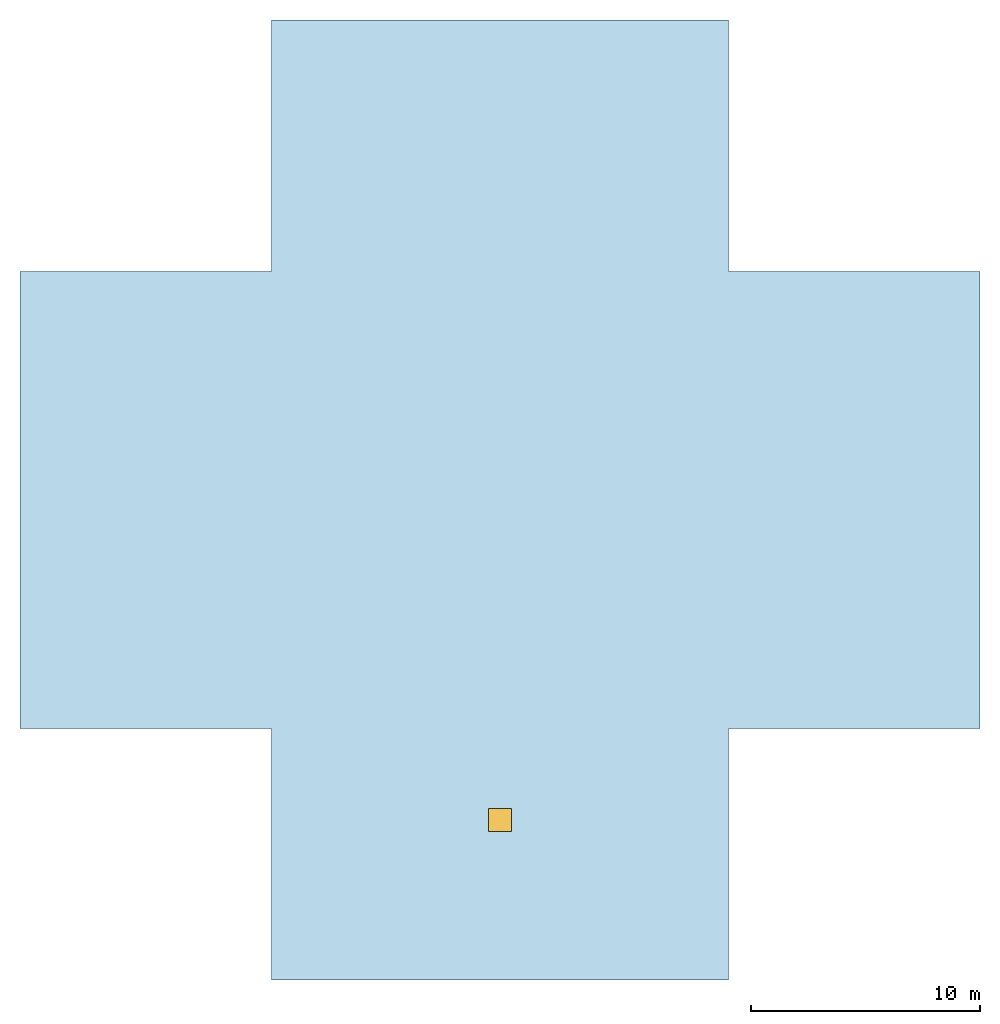
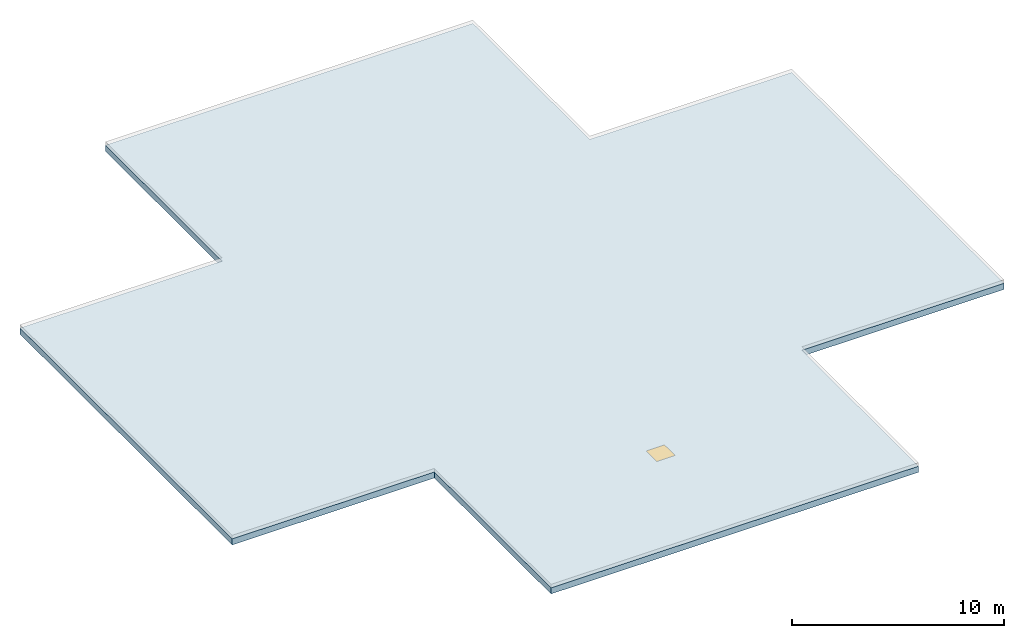
# One storey, part 1 of 2: 1 slab, 1 window, 1 opening.
"""IFC4 building model written with IfcOpenShell, lengths in metres."""

from ifc_helpers import new_model, si_unit, direction, frame, origin, origin_2d, place, context, subcontext, project, spatial, polyline, rectangle, outline, extrude, material, layer, layer_set, type_object, element, fill, save


model = new_model("IFC4")

# Units and contexts
model_context = context("Model", 3, precision=1e-05, world=origin(), true_north=direction((0.0, 1.0)))
body_context = subcontext(model_context, "Body", "Model", "MODEL_VIEW")
ifc_project = project(units=[si_unit("LENGTHUNIT", "METRE"), si_unit("AREAUNIT", "SQUARE_METRE"), si_unit("VOLUMEUNIT", "CUBIC_METRE"), si_unit("PLANEANGLEUNIT", "RADIAN"), si_unit("MASSUNIT", "GRAM", prefix="KILO")], contexts=[model_context])

# Site, building, storey
site_placement = place(None, origin())
site = spatial("IfcSite", under=ifc_project, at=site_placement, CompositionType="ELEMENT")
building_placement = place(site_placement, origin())
building = spatial("IfcBuilding", under=site, at=building_placement, Name="Svetlomir Tower", CompositionType="ELEMENT")
storey_placement = place(building_placement, frame((0.0, 0.0, 289.550048828125)))
storey = spatial("IfcBuildingStorey", under=building, at=storey_placement, Name="ROOF", CompositionType="ELEMENT", Elevation=289.550048828125)

# Slab, opening, window
ifc_material_1 = material(Name="Concrete C60/75", Category="concrete")
ifc_layer = layer(ifc_material_1, 0.35009765625)
ifc_layer_set = layer_set([ifc_layer], Name="Concrete C60/75")
slab_type = type_object("IfcSlabType", Name="ROOF SLAB 350", PredefinedType="ROOF", material=ifc_layer_set)
slab_placement = place(storey_placement, origin())
slab = element("IfcSlab", 1, at=slab_placement, inside=storey, type_object=slab_type, Name="Crown roof slab", PredefinedType="ROOF", context=body_context, shape_type="SweptSolid", body=[
    extrude(outline(polyline([(11.0, 0.0), (31.0, 0.0), (31.0, 11.0), (42.0, 11.0), (42.0, 31.0), (31.0, 31.0), (31.0, 42.0), (11.0, 42.0), (11.0, 31.0), (0.0, 31.0), (0.0, 11.0), (11.0, 11.0), (11.0, 0.0)])), origin(), (0.0, 0.0, 1.0), 0.349853515625),
])
opening_placement = place(slab_placement, frame((21.0, 7.0, 0.0)))
opening = element("IfcOpeningElement", 2, at=opening_placement, cuts=slab, Name="Opening RH", PredefinedType="OPENING", context=body_context, shape_type="SweptSolid", body=[
    extrude(rectangle(XDim=1.0, YDim=1.0, at=origin_2d()), origin(), (0.0, 0.0, 1.0), 0.349853515625),
])
ifc_material_2 = material(Name="Aluminium roof hatch", Category="aluminium")
window_type = type_object("IfcWindowType", Name="ROOF ACCESS HATCH RH 1000x1000", PartitioningType="SINGLE_PANEL", PredefinedType="SKYLIGHT", material=ifc_material_2)
window_placement = place(opening_placement, frame((0.0, 0.0, 0.2998046875)))
window = element("IfcWindow", 3, at=window_placement, inside=storey, type_object=window_type, Name="ROOF ACCESS HATCH", OverallHeight=1.0, OverallWidth=1.0, PartitioningType="SINGLE_PANEL", PredefinedType="SKYLIGHT", context=body_context, shape_type="SweptSolid", body=[
    extrude(rectangle(XDim=1.0, YDim=1.0, at=origin_2d()), origin(), (0.0, 0.0, 1.0), 0.050048828125),
])
fill(opening, window)

save(model, "model.ifc")
